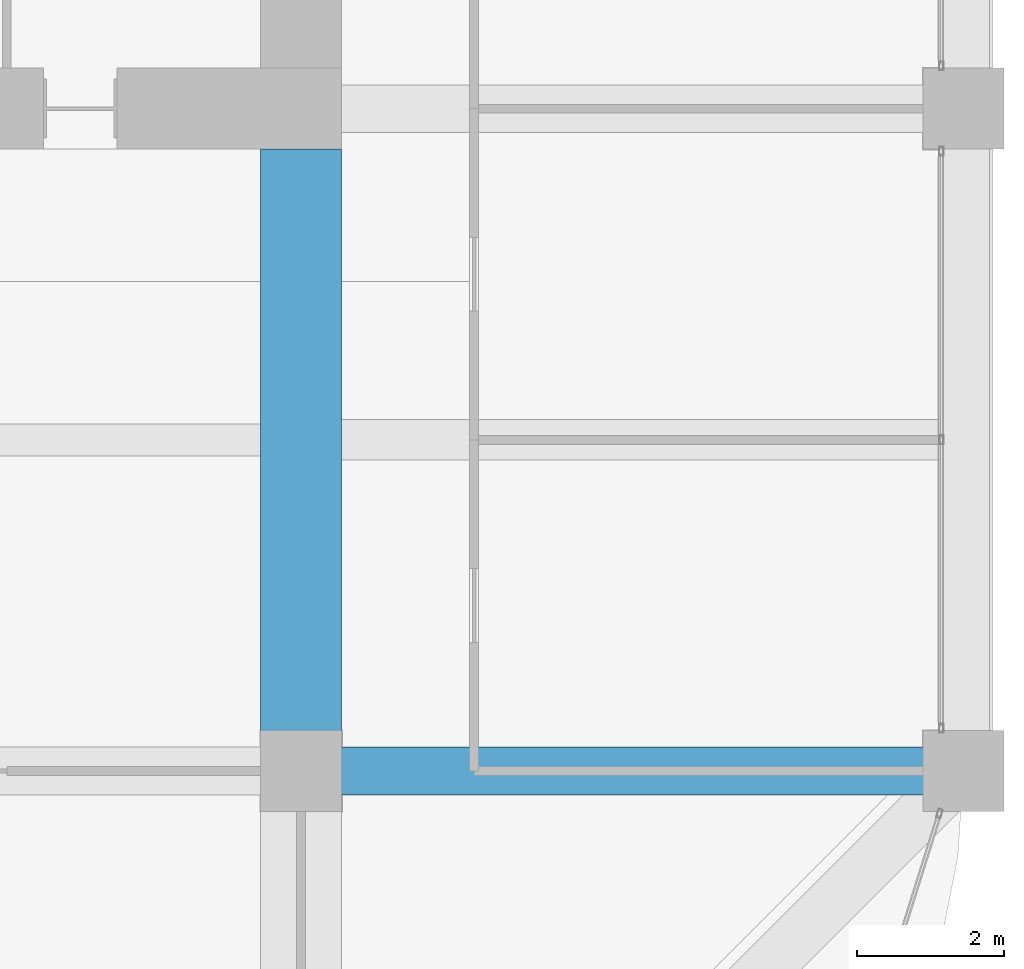
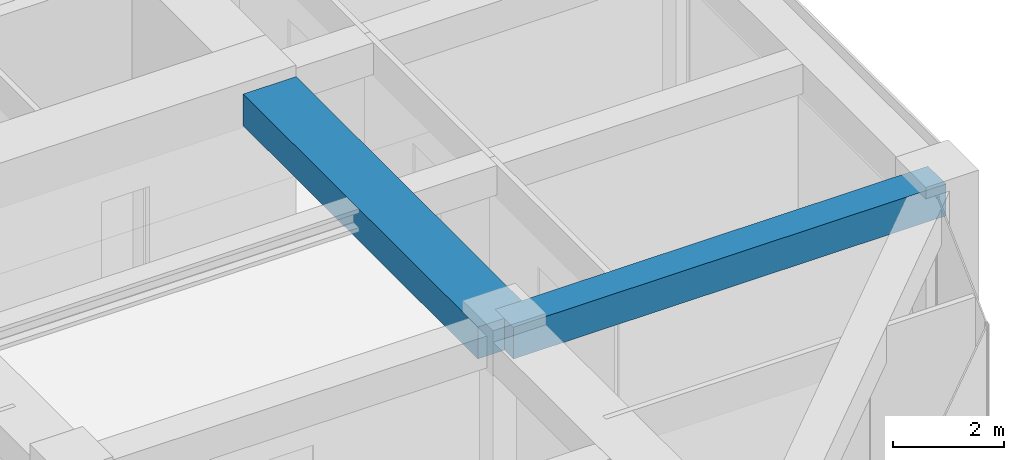
# One storey, part 21 of 45: 2 beams.
"""IFC4 building model written with IfcOpenShell, lengths in metres."""

from ifc_helpers import new_model, si_unit, direction, frame, origin, origin_2d, place, context, subcontext, project, spatial, rectangle, extrude, material, material_profile, profile_set, type_object, element, save


model = new_model("IFC4")

# Units and contexts
model_context = context("Model", 3, precision=1e-05, world=origin(), true_north=direction((0.0, 1.0)))
body_context = subcontext(model_context, "Body", "Model", "MODEL_VIEW")
ifc_project = project(units=[si_unit("LENGTHUNIT", "METRE"), si_unit("AREAUNIT", "SQUARE_METRE"), si_unit("VOLUMEUNIT", "CUBIC_METRE"), si_unit("PLANEANGLEUNIT", "RADIAN"), si_unit("MASSUNIT", "GRAM", prefix="KILO")], contexts=[model_context])

# Site, building, storey
site_placement = place(None, origin())
site = spatial("IfcSite", under=ifc_project, at=site_placement, CompositionType="ELEMENT")
building_placement = place(site_placement, origin())
building = spatial("IfcBuilding", under=site, at=building_placement, Name="Zorevar Civic Tower", CompositionType="ELEMENT")
storey_placement = place(building_placement, frame((0.0, 0.0, 291.39990234375)))
storey = spatial("IfcBuildingStorey", under=building, at=storey_placement, Name="L71", CompositionType="ELEMENT", Elevation=291.39990234375)

# Beams
ifc_material_1 = material(Name="Concrete C50/60", Category="concrete")
ifc_material_profile_1 = material_profile(ifc_material_1, rectangle(XDim=1.10009765625, YDim=0.699951171875, at=origin_2d()), Name="RC 1100x700")
ifc_profile_set_1 = profile_set([ifc_material_profile_1], Name="Concrete C50/60")
beam_type_1 = type_object("IfcBeamType", Name="Beam RC 1100x700", PredefinedType="BEAM", material=ifc_profile_set_1)
beam_1_placement = place(storey_placement, frame((45.0, 9.0, 3.400146484375), z_axis=(0.0, 1.0, 0.0), x_axis=(-1.0, 0.0, 0.0)))
element("IfcBeam", 1, at=beam_1_placement, inside=storey, type_object=beam_type_1, Name="Girder L72", PredefinedType="BEAM", context=body_context, shape_type="SweptSolid", body=[
    extrude(rectangle(XDim=1.10009765625, YDim=0.699951171875, at=origin_2d()), origin(), (0.0, 0.0, 1.0), 8.449951171875),
])
ifc_material_2 = material(Name="Concrete C50/60", Category="concrete")
ifc_material_profile_2 = material_profile(ifc_material_2, rectangle(XDim=0.64990234375, YDim=0.699951171875, at=origin_2d()), Name="RC 650x700")
ifc_profile_set_2 = profile_set([ifc_material_profile_2], Name="Concrete C50/60")
beam_type_2 = type_object("IfcBeamType", Name="Beam RC 650x700", PredefinedType="BEAM", material=ifc_profile_set_2)
beam_2_placement = place(storey_placement, frame((45.0, 9.0, 3.400146484375), z_axis=(1.0, 0.0, 0.0), x_axis=(0.0, 1.0, 0.0)))
element("IfcBeam", 2, at=beam_2_placement, inside=storey, type_object=beam_type_2, Name="Girder L72", PredefinedType="BEAM", context=body_context, shape_type="SweptSolid", body=[
    extrude(rectangle(XDim=0.64990234375, YDim=0.699951171875, at=origin_2d()), origin(), (0.0, 0.0, 1.0), 9.0),
])

save(model, "model.ifc")
